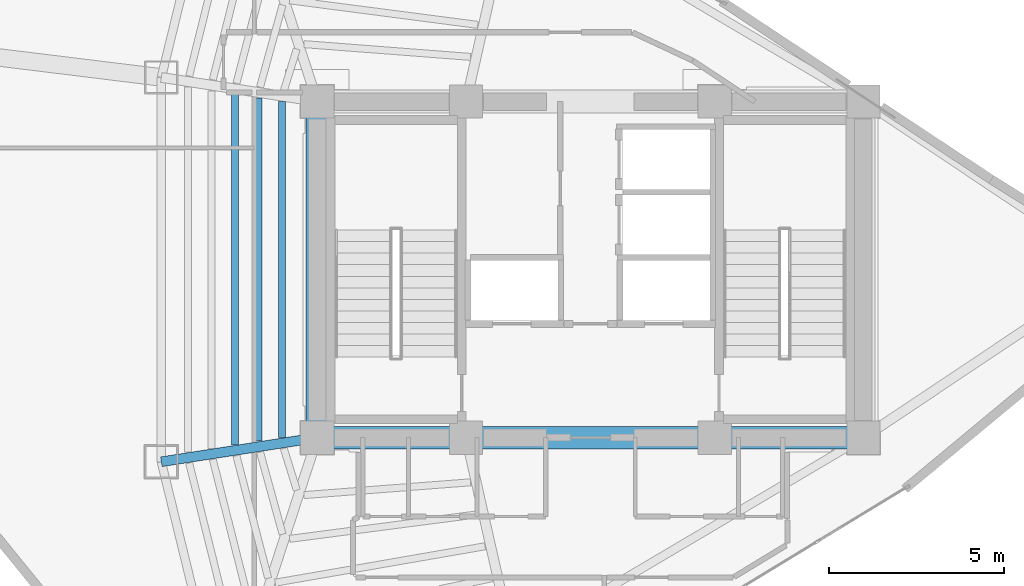
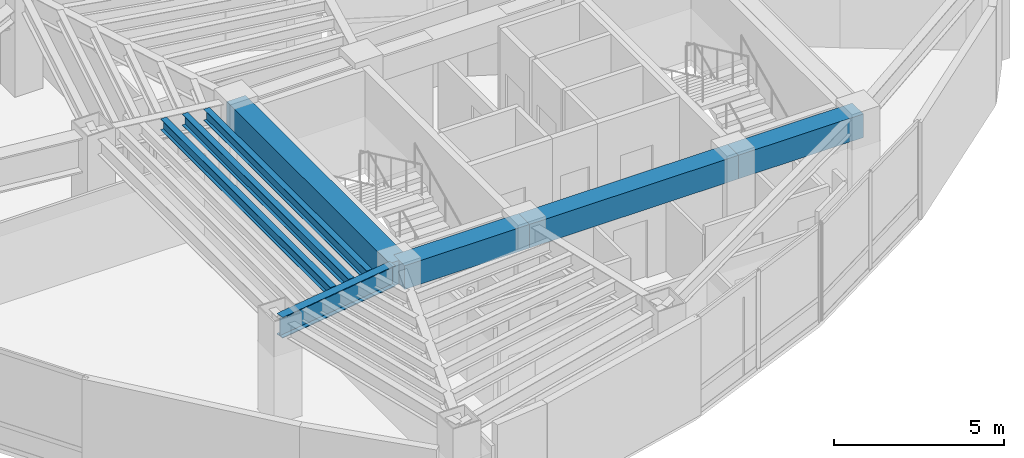
# One storey, part 5 of 16: 8 beams.
"""IFC4 building model written with IfcOpenShell, lengths in metres."""

from ifc_helpers import new_model, si_unit, direction, frame, origin, origin_2d, place, context, subcontext, project, spatial, rectangle, i_section, extrude, material, material_profile, profile_set, type_object, element, save


model = new_model("IFC4")

# Units and contexts
model_context = context("Model", 3, precision=1e-05, world=origin(), true_north=direction((0.0, 1.0)))
body_context = subcontext(model_context, "Body", "Model", "MODEL_VIEW")
ifc_project = project(units=[si_unit("LENGTHUNIT", "METRE"), si_unit("AREAUNIT", "SQUARE_METRE"), si_unit("VOLUMEUNIT", "CUBIC_METRE"), si_unit("PLANEANGLEUNIT", "RADIAN"), si_unit("MASSUNIT", "GRAM", prefix="KILO")], contexts=[model_context])

# Site, building, storey
site_placement = place(None, origin())
site = spatial("IfcSite", under=ifc_project, at=site_placement, CompositionType="ELEMENT")
building_placement = place(site_placement, origin())
building = spatial("IfcBuilding", under=site, at=building_placement, Name="Menara Vayukalpa", CompositionType="ELEMENT")
storey_placement = place(building_placement, frame((0.0, 0.0, 198.9599609375)))
storey = spatial("IfcBuildingStorey", under=building, at=storey_placement, Name="L50", CompositionType="ELEMENT", Elevation=198.9599609375)

# Beams
ifc_material_1 = material(Name="Concrete C60/75", Category="concrete")
ifc_material_profile_1 = material_profile(ifc_material_1, rectangle(XDim=0.64990234375, YDim=0.85009765625, at=origin_2d()), Name="RC 650x850")
ifc_profile_set_1 = profile_set([ifc_material_profile_1], Name="Concrete C60/75")
beam_type_1 = type_object("IfcBeamType", Name="BM-CB1", PredefinedType="BEAM", material=ifc_profile_set_1)
beam_1_placement = place(storey_placement, frame((17.800048828125, 17.199951171875, 3.074951171875), z_axis=(1.0, 0.0, 0.0), x_axis=(0.0, 1.0, 0.0)))
element("IfcBeam", 1, at=beam_1_placement, inside=storey, type_object=beam_type_1, Name="L50 Core Tie Beam CBR1", PredefinedType="BEAM", context=body_context, shape_type="SweptSolid", body=[
    extrude(rectangle(XDim=0.64990234375, YDim=0.85009765625, at=origin_2d()), origin(), (0.0, 0.0, 1.0), 4.25),
])
beam_2_placement = place(storey_placement, frame((22.050048828125, 17.199951171875, 3.074951171875), z_axis=(1.0, 0.0, 0.0), x_axis=(0.0, 1.0, 0.0)))
element("IfcBeam", 2, at=beam_2_placement, inside=storey, type_object=beam_type_1, Name="L50 Core Tie Beam CBR2", PredefinedType="BEAM", context=body_context, shape_type="SweptSolid", body=[
    extrude(rectangle(XDim=0.64990234375, YDim=0.85009765625, at=origin_2d()), origin(), (0.0, 0.0, 1.0), 7.099853515625),
])
beam_3_placement = place(storey_placement, frame((29.14990234375, 17.199951171875, 3.074951171875), z_axis=(1.0, 0.0, 0.0), x_axis=(0.0, 1.0, 0.0)))
element("IfcBeam", 3, at=beam_3_placement, inside=storey, type_object=beam_type_1, Name="L50 Core Tie Beam CBR3", PredefinedType="BEAM", context=body_context, shape_type="SweptSolid", body=[
    extrude(rectangle(XDim=0.64990234375, YDim=0.85009765625, at=origin_2d()), origin(), (0.0, 0.0, 1.0), 4.25),
])
beam_4_placement = place(storey_placement, frame((17.800048828125, 17.199951171875, 3.074951171875), z_axis=(0.0, 1.0, 0.0), x_axis=(-1.0, 0.0, 0.0)))
element("IfcBeam", 4, at=beam_4_placement, inside=storey, type_object=beam_type_1, Name="L50 Core Tie Beam CBR7", PredefinedType="BEAM", context=body_context, shape_type="SweptSolid", body=[
    extrude(rectangle(XDim=0.64990234375, YDim=0.85009765625, at=origin_2d()), origin(), (0.0, 0.0, 1.0), 9.60009765625),
])
ifc_material_2 = material(Name="Steel S355", Category="steel")
ifc_material_profile_2 = material_profile(ifc_material_2, i_section(OverallWidth=0.280029296875, OverallDepth=0.75, WebThickness=0.013916015625, FlangeThickness=0.02490234375, at=origin_2d()), Name="WF 750x280x14x25")
ifc_profile_set_2 = profile_set([ifc_material_profile_2], Name="Steel S355")
beam_type_2 = type_object("IfcBeamType", Name="BM-PG4", PredefinedType="BEAM", material=ifc_profile_set_2)
beam_5_placement = place(storey_placement, frame((17.552978515625, 17.161865234375, 3.125), z_axis=(-0.988244781219, -0.152879862617, 0.0), x_axis=(0.152879862617, -0.988244781219, 0.0)))
element("IfcBeam", 5, at=beam_5_placement, inside=storey, type_object=beam_type_2, Name="L50 Primary Radial Girder RG06", PredefinedType="BEAM", context=body_context, shape_type="SweptSolid", body=[
    extrude(i_section(OverallWidth=0.280029296875, OverallDepth=0.75, WebThickness=0.013916015625, FlangeThickness=0.02490234375, at=origin_2d()), origin(), (0.0, 0.0, 1.0), 4.259033203125),
])
ifc_material_3 = material(Name="Steel S355", Category="steel")
ifc_material_profile_3 = material_profile(ifc_material_3, i_section(OverallWidth=0.199951171875, OverallDepth=0.39990234375, WebThickness=0.008056640625, FlangeThickness=0.012939453125, at=origin_2d()), Name="WF 400x200x8x13")
ifc_profile_set_3 = profile_set([ifc_material_profile_3], Name="Steel S355")
beam_type_3 = type_object("IfcBeamType", Name="BM-SJ2", PredefinedType="JOIST", material=ifc_profile_set_3)
beam_6_placement = place(storey_placement, frame((16.79541015625, 26.79541015625, 3.300048828125), z_axis=(0.0, -1.0, 0.0), x_axis=(1.0, 0.0, 0.0)))
element("IfcBeam", 6, at=beam_6_placement, inside=storey, type_object=beam_type_3, Name="L50 Secondary Floor Joist SJ05-1", PredefinedType="JOIST", context=body_context, shape_type="SweptSolid", body=[
    extrude(i_section(OverallWidth=0.199951171875, OverallDepth=0.39990234375, WebThickness=0.008056640625, FlangeThickness=0.012939453125, at=origin_2d()), origin(), (0.0, 0.0, 1.0), 9.5908203125),
])
beam_7_placement = place(storey_placement, frame((16.121826171875, 26.8994140625, 3.300048828125), z_axis=(0.0, -1.0, 0.0), x_axis=(1.0, 0.0, 0.0)))
element("IfcBeam", 7, at=beam_7_placement, inside=storey, type_object=beam_type_3, Name="L50 Secondary Floor Joist SJ05-2", PredefinedType="JOIST", context=body_context, shape_type="SweptSolid", body=[
    extrude(i_section(OverallWidth=0.199951171875, OverallDepth=0.39990234375, WebThickness=0.008056640625, FlangeThickness=0.012939453125, at=origin_2d()), origin(), (0.0, 0.0, 1.0), 9.798828125),
])
beam_8_placement = place(storey_placement, frame((15.448486328125, 27.003662109375, 3.300048828125), z_axis=(0.0, -1.0, 0.0), x_axis=(1.0, 0.0, 0.0)))
element("IfcBeam", 8, at=beam_8_placement, inside=storey, type_object=beam_type_3, Name="L50 Secondary Floor Joist SJ05-3", PredefinedType="JOIST", context=body_context, shape_type="SweptSolid", body=[
    extrude(i_section(OverallWidth=0.199951171875, OverallDepth=0.39990234375, WebThickness=0.008056640625, FlangeThickness=0.012939453125, at=origin_2d()), origin(), (0.0, 0.0, 1.0), 10.00732421875),
])

save(model, "model.ifc")
